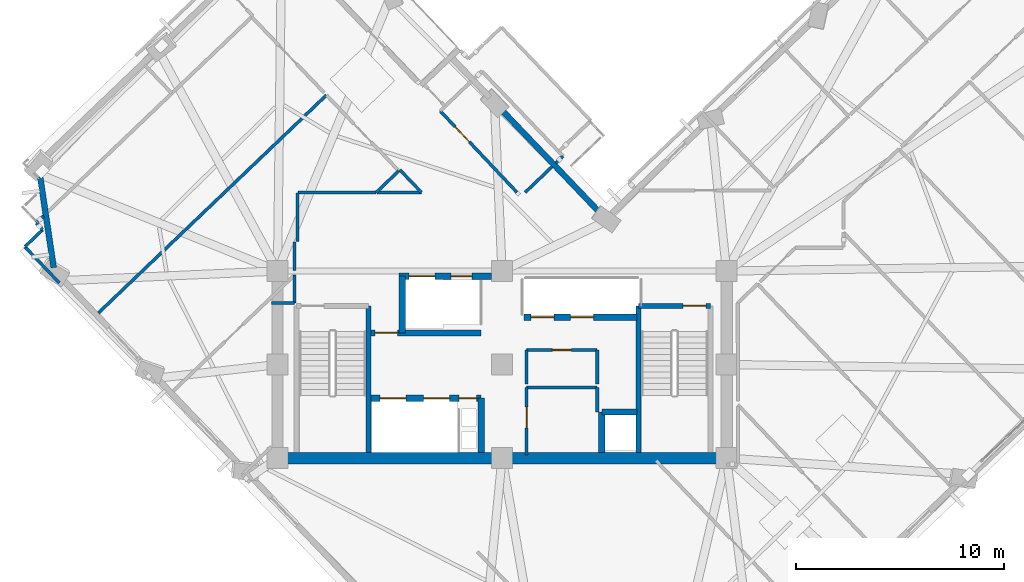
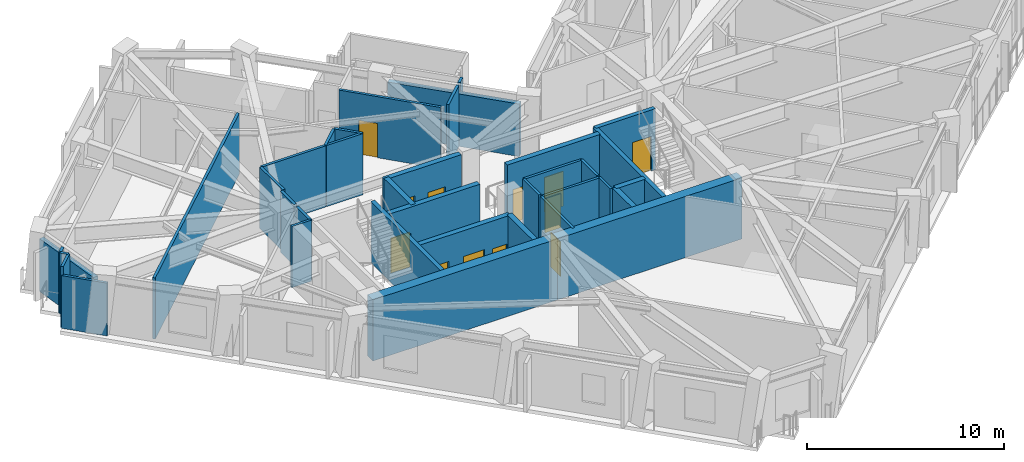
# One storey, part 9 of 17: 37 walls, 12 doors, 12 openings.
"""IFC4 building model written with IfcOpenShell, lengths in metres."""

from ifc_helpers import new_model, si_unit, direction, frame, frame_2d, origin, place, context, subcontext, project, spatial, rectangle, extrude, material, layer, layer_set, type_object, element, fill, save


model = new_model("IFC4")

# Units and contexts
model_context = context("Model", 3, precision=1e-05, world=origin(), true_north=direction((0.0, 1.0)))
body_context = subcontext(model_context, "Body", "Model", "MODEL_VIEW")
ifc_project = project(units=[si_unit("LENGTHUNIT", "METRE"), si_unit("AREAUNIT", "SQUARE_METRE"), si_unit("VOLUMEUNIT", "CUBIC_METRE"), si_unit("PLANEANGLEUNIT", "RADIAN"), si_unit("MASSUNIT", "GRAM", prefix="KILO")], contexts=[model_context])

# Site, building, storey
site_placement = place(None, origin())
site = spatial("IfcSite", under=ifc_project, at=site_placement, CompositionType="ELEMENT")
building_placement = place(site_placement, origin())
building = spatial("IfcBuilding", under=site, at=building_placement, Name="Gaonmaruhae Medical Tower", CompositionType="ELEMENT")
storey_placement = place(building_placement, frame((0.0, 0.0, 211.199951171875)))
storey = spatial("IfcBuildingStorey", under=building, at=storey_placement, Name="L50", CompositionType="ELEMENT", Elevation=211.199951171875)

# Walls
ifc_material_1 = material(Name="Concrete C50/60", Category="concrete")
ifc_layer_1 = layer(ifc_material_1, 0.550048828125)
ifc_layer_set_1 = layer_set([ifc_layer_1], Name="Concrete C50/60")
wall_type_1 = type_object("IfcWallType", Name="CW-550 Mid-High Core Shear Wall", PredefinedType="SHEAR", material=ifc_layer_set_1)
for number, where, z_axis, x_axis, name in (
    (1, (14.0, 7.800048828125, 0.0), (0.0, 0.0, 1.0), (1.0, 0.0, 0.0), "L50 Core Shear Wall CSW-S1"),
    (2, (24.800048828125, 7.800048828125, 0.0), (0.0, 0.0, 1.0), (1.0, 0.0, 0.0), "L50 Core Shear Wall CSW-S2"),
):
    element("IfcWall", number, at=place(storey_placement, frame(where, z_axis=z_axis, x_axis=x_axis)), inside=storey, type_object=wall_type_1, Name=name, PredefinedType="SHEAR", context=body_context, shape_type="SweptSolid", body=[
        extrude(rectangle(XDim=10.800048828125, YDim=0.550048828125, at=frame_2d((5.39990234375, 0.0))), origin(), (0.0, 0.0, 1.0), 3.780029296875),
    ])
ifc_material_2 = material(Name="Precast concrete C45/55", Category="concrete")
ifc_layer_2 = layer(ifc_material_2, 0.280029296875)
ifc_layer_set_2 = layer_set([ifc_layer_2], Name="Precast concrete C45/55")
wall_type_2 = type_object("IfcWallType", Name="EW-280 Upper Precast Masonry-Frame Facade Wall", PredefinedType="SOLIDWALL", material=ifc_layer_set_2)
wall_1_placement = place(storey_placement, frame((24.7529296875, 24.5771484375, 0.0), z_axis=(0.0, 0.0, 1.0), x_axis=(0.69090790135, -0.722942786015, 0.0)))
element("IfcWall", 3, at=wall_1_placement, inside=storey, type_object=wall_type_2, Name="L50 Precast Masonry-Frame Wall KN01-NE01", PredefinedType="SOLIDWALL", context=body_context, shape_type="SweptSolid", body=[
    extrude(rectangle(XDim=6.9580078125, YDim=0.280029296875, at=frame_2d((3.47900390625, 0.0))), origin(), (0.0, 0.0, 1.0), 3.2451171875),
])
wall_2_placement = place(storey_placement, frame((3.23291015625, 16.9609375, 0.0), z_axis=(0.0, 0.0, 1.0), x_axis=(-0.147544168779, 0.989055467736, 0.0)))
element("IfcWall", 4, at=wall_2_placement, inside=storey, type_object=wall_type_2, Name="L50 Precast Masonry-Frame Wall N03-W01", PredefinedType="SOLIDWALL", context=body_context, shape_type="SweptSolid", body=[
    extrude(rectangle(XDim=4.408203125, YDim=0.280029296875, at=frame_2d((2.2041015625, 0.0))), origin(), (0.0, 0.0, 1.0), 3.26513671875),
])

# Wall, opening, door
ifc_material_3 = material(Name="Gypsum board partition", Category="gypsum")
ifc_layer_3 = layer(ifc_material_3, 0.14990234375)
ifc_layer_set_3 = layer_set([ifc_layer_3], Name="Gypsum board partition")
wall_type_3 = type_object("IfcWallType", Name="PW-150 Rated Clinical Corridor Partition", PredefinedType="PARTITIONING", material=ifc_layer_set_3)
wall_3_placement = place(storey_placement, frame((25.97998046875, 7.9599609375, 0.0), z_axis=(0.0, 0.0, 1.0), x_axis=(0.0, 1.0, 0.0)))
wall_3 = element("IfcWall", 5, at=wall_3_placement, inside=storey, type_object=wall_type_3, Name="L50 Interior Partition L50-RCL1-1", PredefinedType="PARTITIONING", context=body_context, shape_type="SweptSolid", body=[
    extrude(rectangle(XDim=3.239990234375, YDim=0.14990234375, at=frame_2d((1.6201171875, 0.0))), origin(), (0.0, 0.0, 1.0), 3.780029296875),
])
opening_1_placement = place(wall_3_placement, frame((1.294921875, 0.0, 0.0)))
opening_1 = element("IfcOpeningElement", 6, at=opening_1_placement, cuts=wall_3, Name="Opening CD-01", PredefinedType="OPENING", context=body_context, shape_type="SweptSolid", body=[
    extrude(rectangle(XDim=1.0, YDim=2.1201171875, at=frame_2d((0.5, 1.06005859375))), frame((0.0, 0.0849609375, 0.0), z_axis=(0.0, -1.0, 0.0), x_axis=(1.0, 0.0, 0.0)), (0.0, 0.0, 1.0), 0.169921875),
])
ifc_material_4 = material(Name="Antimicrobial laminate timber fire door", Category="wood")
door_type_1 = type_object("IfcDoorType", Name="CD-01 Consultation & Physician Office Door 1000x2120", OperationType="NOTDEFINED", PredefinedType="DOOR", material=ifc_material_4)
door_1_placement = place(opening_1_placement, origin())
door_1 = element("IfcDoor", 7, at=door_1_placement, inside=storey, type_object=door_type_1, Name="L50 Clinical Telemetry and Medication Room Door", OperationType="SINGLE_SWING_RIGHT", OverallHeight=2.1201171875, OverallWidth=1.0, PredefinedType="DOOR", context=body_context, shape_type="SweptSolid", body=[
    extrude(rectangle(XDim=1.0, YDim=2.1201171875, at=frame_2d((0.5, 1.06005859375))), frame((0.0, 0.02490234375, 0.0), z_axis=(0.0, -1.0, 0.0), x_axis=(1.0, 0.0, 0.0)), (0.0, 0.0, 1.0), 0.050048828125),
])
fill(opening_1, door_1)

# Walls
wall_4_placement = place(storey_placement, frame((25.97998046875, 11.199951171875, 0.0), z_axis=(0.0, 0.0, 1.0), x_axis=(1.0, 0.0, 0.0)))
element("IfcWall", 8, at=wall_4_placement, inside=storey, type_object=wall_type_3, Name="L50 Interior Partition L50-RCL1-2", PredefinedType="PARTITIONING", context=body_context, shape_type="SweptSolid", body=[
    extrude(rectangle(XDim=3.39990234375, YDim=0.14990234375, at=frame_2d((1.699951171875, 0.0))), origin(), (0.0, 0.0, 1.0), 3.780029296875),
])
wall_5_placement = place(storey_placement, frame((29.3798828125, 11.199951171875, 0.0), z_axis=(0.0, 0.0, 1.0), x_axis=(0.0, -1.0, 0.0)))
element("IfcWall", 9, at=wall_5_placement, inside=storey, type_object=wall_type_3, Name="L50 Interior Partition L50-RCL1-3", PredefinedType="PARTITIONING", context=body_context, shape_type="SweptSolid", body=[
    extrude(rectangle(XDim=1.179931640625, YDim=0.14990234375, at=frame_2d((0.58984375, 0.0))), origin(), (0.0, 0.0, 1.0), 3.780029296875),
])
wall_6_placement = place(storey_placement, frame((25.97998046875, 11.360107421875, 0.0), z_axis=(0.0, 0.0, 1.0), x_axis=(0.0, 1.0, 0.0)))
element("IfcWall", 10, at=wall_6_placement, inside=storey, type_object=wall_type_3, Name="L50 Interior Partition L50-CS1-4", PredefinedType="PARTITIONING", context=body_context, shape_type="SweptSolid", body=[
    extrude(rectangle(XDim=1.639892578125, YDim=0.14990234375, at=frame_2d((0.81982421875, 0.0))), origin(), (0.0, 0.0, 1.0), 3.780029296875),
])

# Wall, opening, door
wall_7_placement = place(storey_placement, frame((25.97998046875, 13.0, 0.0), z_axis=(0.0, 0.0, 1.0), x_axis=(1.0, 0.0, 0.0)))
wall_7 = element("IfcWall", 11, at=wall_7_placement, inside=storey, type_object=wall_type_3, Name="L50 Interior Partition L50-CS1-5", PredefinedType="PARTITIONING", context=body_context, shape_type="SweptSolid", body=[
    extrude(rectangle(XDim=3.39990234375, YDim=0.14990234375, at=frame_2d((1.699951171875, 0.0))), origin(), (0.0, 0.0, 1.0), 3.780029296875),
])
opening_2_placement = place(wall_7_placement, frame((1.239990234375, 0.0, 0.0)))
opening_2 = element("IfcOpeningElement", 12, at=opening_2_placement, cuts=wall_7, Name="Opening UD-01", PredefinedType="OPENING", context=body_context, shape_type="SweptSolid", body=[
    extrude(rectangle(XDim=0.919921875, YDim=2.10009765625, at=frame_2d((0.4599609375, 1.050048828125))), frame((0.0, 0.0849609375, 0.0), z_axis=(0.0, -1.0, 0.0), x_axis=(1.0, 0.0, 0.0)), (0.0, 0.0, 1.0), 0.169921875),
])
ifc_material_5 = material(Name="Powder-coated steel utility door", Category="steel")
door_type_2 = type_object("IfcDoorType", Name="UD-01 Toilet, Utility & Housekeeping Door 920x2100", OperationType="NOTDEFINED", PredefinedType="DOOR", material=ifc_material_5)
door_2_placement = place(opening_2_placement, origin())
door_2 = element("IfcDoor", 13, at=door_2_placement, inside=storey, type_object=door_type_2, Name="L50 Accessible Staff Toilet Door", OperationType="SINGLE_SWING_LEFT", OverallHeight=2.10009765625, OverallWidth=0.919921875, PredefinedType="DOOR", context=body_context, shape_type="SweptSolid", body=[
    extrude(rectangle(XDim=0.919921875, YDim=2.10009765625, at=frame_2d((0.4599609375, 1.050048828125))), frame((0.0, 0.02490234375, 0.0), z_axis=(0.0, -1.0, 0.0), x_axis=(1.0, 0.0, 0.0)), (0.0, 0.0, 1.0), 0.050048828125),
])
fill(opening_2, door_2)

# Walls
wall_8_placement = place(storey_placement, frame((29.3798828125, 13.0, 0.0), z_axis=(0.0, 0.0, 1.0), x_axis=(0.0, -1.0, 0.0)))
element("IfcWall", 14, at=wall_8_placement, inside=storey, type_object=wall_type_3, Name="L50 Interior Partition L50-CS1-6", PredefinedType="PARTITIONING", context=body_context, shape_type="SweptSolid", body=[
    extrude(rectangle(XDim=1.639892578125, YDim=0.14990234375, at=frame_2d((0.81982421875, 0.0))), origin(), (0.0, 0.0, 1.0), 3.780029296875),
])
wall_9_placement = place(storey_placement, frame((14.820068359375, 16.60498046875, 0.0), z_axis=(0.0, 0.0, 1.0), x_axis=(0.0, -1.0, 0.0)))
element("IfcWall", 15, at=wall_9_placement, inside=storey, type_object=wall_type_3, Name="L50 Interior Partition L50-WCL12-44", PredefinedType="PARTITIONING", context=body_context, shape_type="SweptSolid", body=[
    extrude(rectangle(XDim=1.344970703125, YDim=0.14990234375, at=frame_2d((0.67236328125, 0.0))), origin(), (0.0, 0.0, 1.0), 3.780029296875),
])
wall_10_placement = place(storey_placement, frame((14.820068359375, 15.260009765625, 0.0), z_axis=(0.0, 0.0, 1.0), x_axis=(-1.0, 0.0, 0.0)))
element("IfcWall", 16, at=wall_10_placement, inside=storey, type_object=wall_type_3, Name="L50 Interior Partition L50-WCL12-45", PredefinedType="PARTITIONING", context=body_context, shape_type="SweptSolid", body=[
    extrude(rectangle(XDim=1.1201171875, YDim=0.14990234375, at=frame_2d((0.56005859375, 0.0))), origin(), (0.0, 0.0, 1.0), 3.780029296875),
])
wall_11_placement = place(storey_placement, frame((14.969970703125, 20.550048828125, 0.0), z_axis=(0.0, 0.0, 1.0), x_axis=(0.0, -1.0, 0.0)))
element("IfcWall", 17, at=wall_11_placement, inside=storey, type_object=wall_type_3, Name="L50 Interior Partition L50-WOF13-46", PredefinedType="PARTITIONING", context=body_context, shape_type="SweptSolid", body=[
    extrude(rectangle(XDim=2.320068359375, YDim=0.14990234375, at=frame_2d((1.16015625, 0.0))), origin(), (0.0, 0.0, 1.0), 3.780029296875),
])
wall_12_placement = place(storey_placement, frame((14.820068359375, 18.202880859375, 0.0), z_axis=(0.0, 0.0, 1.0), x_axis=(0.0, -1.0, 0.0)))
element("IfcWall", 18, at=wall_12_placement, inside=storey, type_object=wall_type_3, Name="L50 Interior Partition L50-WOF13-47", PredefinedType="PARTITIONING", context=body_context, shape_type="SweptSolid", body=[
    extrude(rectangle(XDim=1.376953125, YDim=0.14990234375, at=frame_2d((0.6884765625, 0.0))), origin(), (0.0, 0.0, 1.0), 3.780029296875),
])
wall_13_placement = place(storey_placement, frame((5.3740234375, 14.77099609375, 0.0), z_axis=(0.0, 0.0, 1.0), x_axis=(0.722993367921, 0.690854970267, 0.0)))
element("IfcWall", 19, at=wall_13_placement, inside=storey, type_object=wall_type_3, Name="L50 Interior Partition L50-WOF13-49", PredefinedType="PARTITIONING", context=body_context, shape_type="SweptSolid", body=[
    extrude(rectangle(XDim=15.185546875, YDim=0.14990234375, at=frame_2d((7.5927734375, 0.0))), origin(), (0.0, 0.0, 1.0), 3.780029296875),
])
wall_14_placement = place(storey_placement, frame((19.8349609375, 21.617919921875, 0.0), z_axis=(0.0, 0.0, 1.0), x_axis=(-0.723244890559, -0.690591650891, 0.0)))
element("IfcWall", 20, at=wall_14_placement, inside=storey, type_object=wall_type_3, Name="L50 Interior Partition L50-WOF13-51", PredefinedType="PARTITIONING", context=body_context, shape_type="SweptSolid", body=[
    extrude(rectangle(XDim=1.5029296875, YDim=0.14990234375, at=frame_2d((0.75146484375, 0.0))), origin(), (0.0, 0.0, 1.0), 3.780029296875),
])
wall_15_placement = place(storey_placement, frame((18.748046875, 20.580078125, 0.0), z_axis=(0.0, 0.0, 1.0), x_axis=(-1.0, 0.0, 0.0)))
element("IfcWall", 21, at=wall_15_placement, inside=storey, type_object=wall_type_3, Name="L50 Interior Partition L50-WOF13-52", PredefinedType="PARTITIONING", context=body_context, shape_type="SweptSolid", body=[
    extrude(rectangle(XDim=3.7509765625, YDim=0.14990234375, at=frame_2d((1.87548828125, 0.0))), origin(), (0.0, 0.0, 1.0), 3.780029296875),
])
wall_16_placement = place(storey_placement, frame((2.385009765625, 19.10693359375, 0.0), z_axis=(0.0, 0.0, 1.0), x_axis=(0.723099511244, 0.690743872097, 0.0)))
element("IfcWall", 22, at=wall_16_placement, inside=storey, type_object=wall_type_3, Name="L50 Interior Partition L50-WOF14-53", PredefinedType="PARTITIONING", context=body_context, shape_type="SweptSolid", body=[
    extrude(rectangle(XDim=0.498046875, YDim=0.14990234375, at=frame_2d((0.2490234375, 0.0))), origin(), (0.0, 0.0, 1.0), 3.780029296875),
])
wall_17_placement = place(storey_placement, frame((3.5048828125, 16.22705078125, 0.0), z_axis=(0.0, 0.0, 1.0), x_axis=(-0.690685671957, 0.723155102694, 0.0)))
element("IfcWall", 23, at=wall_17_placement, inside=storey, type_object=wall_type_3, Name="L50 Interior Partition L50-WOF14-56", PredefinedType="PARTITIONING", context=body_context, shape_type="SweptSolid", body=[
    extrude(rectangle(XDim=2.406005859375, YDim=0.14990234375, at=frame_2d((1.203125, 0.0))), origin(), (0.0, 0.0, 1.0), 3.26513671875),
])
wall_18_placement = place(storey_placement, frame((1.843017578125, 17.967041015625, 0.0), z_axis=(0.0, 0.0, 1.0), x_axis=(0.723064191365, 0.690780844527, 0.0)))
element("IfcWall", 24, at=wall_18_placement, inside=storey, type_object=wall_type_3, Name="L50 Interior Partition L50-WOF14-57", PredefinedType="PARTITIONING", context=body_context, shape_type="SweptSolid", body=[
    extrude(rectangle(XDim=1.1796875, YDim=0.14990234375, at=frame_2d((0.58984375, 0.0))), origin(), (0.0, 0.0, 1.0), 3.780029296875),
])
wall_19_placement = place(storey_placement, frame((2.696044921875, 18.781982421875, 0.0), z_axis=(0.0, 0.0, 1.0), x_axis=(-0.691469068757, 0.722406067909, 0.0)))
element("IfcWall", 25, at=wall_19_placement, inside=storey, type_object=wall_type_3, Name="L50 Interior Partition L50-WOF14-58", PredefinedType="PARTITIONING", context=body_context, shape_type="SweptSolid", body=[
    extrude(rectangle(XDim=0.44970703125, YDim=0.14990234375, at=frame_2d((0.224853515625, 0.0))), origin(), (0.0, 0.0, 1.0), 3.780029296875),
])
wall_20_placement = place(storey_placement, frame((27.737060546875, 22.322998046875, 0.0), z_axis=(0.0, 0.0, 1.0), x_axis=(-0.7235154417, -0.690308196114, 0.0)))
element("IfcWall", 26, at=wall_20_placement, inside=storey, type_object=wall_type_3, Name="L50 Interior Partition L50-IN01-80", PredefinedType="PARTITIONING", context=body_context, shape_type="SweptSolid", body=[
    extrude(rectangle(XDim=0.4853515625, YDim=0.14990234375, at=frame_2d((0.24267578125, 0.0))), origin(), (0.0, 0.0, 1.0), 3.780029296875),
])
wall_21_placement = place(storey_placement, frame((27.219970703125, 21.8291015625, 0.0), z_axis=(0.0, 0.0, 1.0), x_axis=(-0.722929228479, -0.690922087222, 0.0)))
element("IfcWall", 27, at=wall_21_placement, inside=storey, type_object=wall_type_3, Name="L50 Interior Partition L50-IN01-81", PredefinedType="PARTITIONING", context=body_context, shape_type="SweptSolid", body=[
    extrude(rectangle(XDim=1.807861328125, YDim=0.14990234375, at=frame_2d((0.90380859375, 0.0))), origin(), (0.0, 0.0, 1.0), 3.780029296875),
])

# Wall, opening, door
wall_22_placement = place(storey_placement, frame((25.52001953125, 20.580078125, 0.0), z_axis=(0.0, 0.0, 1.0), x_axis=(-0.685917530826, 0.727679284373, 0.0)))
wall_22 = element("IfcWall", 28, at=wall_22_placement, inside=storey, type_object=wall_type_3, Name="L50 Interior Partition L50-IN01-82", PredefinedType="PARTITIONING", context=body_context, shape_type="SweptSolid", body=[
    extrude(rectangle(XDim=5.38427734375, YDim=0.14990234375, at=frame_2d((2.692138671875, 0.0))), origin(), (0.0, 0.0, 1.0), 3.780029296875),
])
opening_3_placement = place(wall_22_placement, frame((3.33935546875, 0.0, 0.0)))
opening_3 = element("IfcOpeningElement", 29, at=opening_3_placement, cuts=wall_22, Name="Opening CD-01", PredefinedType="OPENING", context=body_context, shape_type="SweptSolid", body=[
    extrude(rectangle(XDim=1.0, YDim=2.1201171875, at=frame_2d((0.5, 1.06005859375))), frame((0.0, 0.0849609375, 0.0), z_axis=(0.0, -1.0, 0.0), x_axis=(1.0, 0.0, 0.0)), (0.0, 0.0, 1.0), 0.169921875),
])
door_3_placement = place(opening_3_placement, origin())
door_3 = element("IfcDoor", 30, at=door_3_placement, inside=storey, type_object=door_type_1, Name="L50 Physician Consultation Office Door", OperationType="SINGLE_SWING_RIGHT", OverallHeight=2.1201171875, OverallWidth=1.0, PredefinedType="DOOR", context=body_context, shape_type="SweptSolid", body=[
    extrude(rectangle(XDim=1.0, YDim=2.1201171875, at=frame_2d((0.5, 1.06005859375))), frame((0.0, 0.02490234375, 0.0), z_axis=(0.0, -1.0, 0.0), x_axis=(1.0, 0.0, 0.0)), (0.0, 0.0, 1.0), 0.050048828125),
])
fill(opening_3, door_3)

# Walls
wall_23_placement = place(storey_placement, frame((19.885986328125, 21.666015625, 0.0), z_axis=(0.0, 0.0, 1.0), x_axis=(0.691001224956, -0.722853586219, 0.0)))
element("IfcWall", 31, at=wall_23_placement, inside=storey, type_object=wall_type_3, Name="L50 Interior Partition L50-RM02-91", PredefinedType="PARTITIONING", context=body_context, shape_type="SweptSolid", body=[
    extrude(rectangle(XDim=1.502197265625, YDim=0.14990234375, at=frame_2d((0.7509765625, 0.0))), origin(), (0.0, 0.0, 1.0), 3.780029296875),
])
wall_24_placement = place(storey_placement, frame((20.924072265625, 20.580078125, 0.0), z_axis=(0.0, 0.0, 1.0), x_axis=(-1.0, 0.0, 0.0)))
element("IfcWall", 32, at=wall_24_placement, inside=storey, type_object=wall_type_3, Name="L50 Interior Partition L50-RM02-92", PredefinedType="PARTITIONING", context=body_context, shape_type="SweptSolid", body=[
    extrude(rectangle(XDim=2.14697265625, YDim=0.14990234375, at=frame_2d((1.073486328125, 0.0))), origin(), (0.0, 0.0, 1.0), 3.780029296875),
])
ifc_layer_4 = layer(ifc_material_1, 0.239990234375)
ifc_layer_set_4 = layer_set([ifc_layer_4], Name="Concrete C50/60")
wall_type_4 = type_object("IfcWallType", Name="SW-240 Dogleg Stair Tight Shaft Wall", PredefinedType="SOLIDWALL", material=ifc_layer_set_4)
wall_25_placement = place(storey_placement, frame((18.3798828125, 15.1201171875, 0.0), z_axis=(0.0, 0.0, 1.0), x_axis=(0.0, -1.0, 0.0)))
element("IfcWall", 33, at=wall_25_placement, inside=storey, type_object=wall_type_4, Name="L50 ST-01 Stair Shaft Wall SHW-ST-01-E", PredefinedType="SOLIDWALL", context=body_context, shape_type="SweptSolid", body=[
    extrude(rectangle(XDim=7.045166015625, YDim=0.239990234375, at=frame_2d((3.5224609375, 0.0))), origin(), (0.0, 0.0, 1.0), 3.780029296875),
])

# Wall, opening, door
wall_26_placement = place(storey_placement, frame((31.3701171875, 15.1201171875, 0.0), z_axis=(0.0, 0.0, 1.0), x_axis=(1.0, 0.0, 0.0)))
wall_26 = element("IfcWall", 34, at=wall_26_placement, inside=storey, type_object=wall_type_4, Name="L50 ST-02 Stair Shaft Wall SHW-ST-02-N", PredefinedType="SOLIDWALL", context=body_context, shape_type="SweptSolid", body=[
    extrude(rectangle(XDim=3.4599609375, YDim=0.239990234375, at=frame_2d((1.72998046875, 0.0))), origin(), (0.0, 0.0, 1.0), 3.780029296875),
])
opening_4_placement = place(wall_26_placement, frame((2.139892578125, 0.0, 0.0)))
opening_4 = element("IfcOpeningElement", 35, at=opening_4_placement, cuts=wall_26, Name="Opening FD-01", PredefinedType="OPENING", context=body_context, shape_type="SweptSolid", body=[
    extrude(rectangle(XDim=1.10009765625, YDim=2.14990234375, at=frame_2d((0.550048828125, 1.074951171875))), frame((0.0, 0.1298828125, 0.0), z_axis=(0.0, -1.0, 0.0), x_axis=(1.0, 0.0, 0.0)), (0.0, 0.0, 1.0), 0.260009765625),
])
ifc_material_6 = material(Name="Powder-coated steel fire door", Category="steel")
door_type_3 = type_object("IfcDoorType", Name="FD-01 Escape Stair Protected Fire Door 1100x2150", OperationType="NOTDEFINED", PredefinedType="DOOR", material=ifc_material_6)
door_4_placement = place(opening_4_placement, origin())
door_4 = element("IfcDoor", 36, at=door_4_placement, inside=storey, type_object=door_type_3, Name="L50 ST-02 Protected Escape Stair Door", OperationType="SINGLE_SWING_LEFT", OverallHeight=2.14990234375, OverallWidth=1.10009765625, PredefinedType="DOOR", context=body_context, shape_type="SweptSolid", body=[
    extrude(rectangle(XDim=1.10009765625, YDim=2.14990234375, at=frame_2d((0.550048828125, 1.074951171875))), frame((0.0, 0.02490234375, 0.0), z_axis=(0.0, -1.0, 0.0), x_axis=(1.0, 0.0, 0.0)), (0.0, 0.0, 1.0), 0.050048828125),
])
fill(opening_4, door_4)

# Wall
wall_27_placement = place(storey_placement, frame((31.3701171875, 8.074951171875, 0.0), z_axis=(0.0, 0.0, 1.0), x_axis=(0.0, 1.0, 0.0)))
element("IfcWall", 37, at=wall_27_placement, inside=storey, type_object=wall_type_4, Name="L50 ST-02 Stair Shaft Wall SHW-ST-02-W", PredefinedType="SOLIDWALL", context=body_context, shape_type="SweptSolid", body=[
    extrude(rectangle(XDim=7.045166015625, YDim=0.239990234375, at=frame_2d((3.5224609375, 0.0))), origin(), (0.0, 0.0, 1.0), 3.780029296875),
])

# Wall, openings, doors
ifc_layer_5 = layer(ifc_material_1, 0.300048828125)
ifc_layer_set_5 = layer_set([ifc_layer_5], Name="Concrete C50/60")
wall_type_5 = type_object("IfcWallType", Name="SW-300 Stair & Lift Hoistway Shaft Wall", PredefinedType="SOLIDWALL", material=ifc_layer_set_5)
wall_28_placement = place(storey_placement, frame((19.85009765625, 16.550048828125, 0.0), z_axis=(0.0, 0.0, 1.0), x_axis=(1.0, 0.0, 0.0)))
wall_28 = element("IfcWall", 38, at=wall_28_placement, inside=storey, type_object=wall_type_5, Name="L50 Core Shear Wall CSW-NB", PredefinedType="SOLIDWALL", context=body_context, shape_type="SweptSolid", body=[
    extrude(rectangle(XDim=4.449951171875, YDim=0.300048828125, at=frame_2d((2.22509765625, 0.0))), origin(), (0.0, 0.0, 1.0), 3.780029296875),
])
opening_5_placement = place(wall_28_placement, frame((0.47509765625, 0.0, 0.0)))
opening_5 = element("IfcOpeningElement", 39, at=opening_5_placement, cuts=wall_28, Name="Opening LD-F1", PredefinedType="OPENING", context=body_context, shape_type="SweptSolid", body=[
    extrude(rectangle(XDim=1.25, YDim=2.179931640625, at=frame_2d((0.625, 1.08984375))), frame((0.0, 0.16015625, 0.0), z_axis=(0.0, -1.0, 0.0), x_axis=(1.0, 0.0, 0.0)), (0.0, 0.0, 1.0), 0.320068359375),
])
opening_6_placement = place(wall_28_placement, frame((2.489990234375, 0.0, 0.0)))
opening_6 = element("IfcOpeningElement", 40, at=opening_6_placement, cuts=wall_28, Name="Opening LD-S1", PredefinedType="OPENING", context=body_context, shape_type="SweptSolid", body=[
    extrude(rectangle(XDim=1.02001953125, YDim=2.1201171875, at=frame_2d((0.510009765625, 1.06005859375))), frame((0.0, 0.16015625, 0.0), z_axis=(0.0, -1.0, 0.0), x_axis=(1.0, 0.0, 0.0)), (0.0, 0.0, 1.0), 0.320068359375),
])
ifc_material_7 = material(Name="Brushed stainless steel 316L landing door", Category="steel")
door_type_4 = type_object("IfcDoorType", Name="LD-F1 Firefighting & Bed Lift Sliding Landing Door 1250x2180", OperationType="NOTDEFINED", PredefinedType="DOOR", material=ifc_material_7)
door_5_placement = place(opening_5_placement, origin())
door_5 = element("IfcDoor", 41, at=door_5_placement, inside=storey, type_object=door_type_4, Name="L50 Service/Bed Lift Landing Door BDL-01", OperationType="DOUBLE_DOOR_SLIDING", OverallHeight=2.179931640625, OverallWidth=1.25, PredefinedType="DOOR", context=body_context, shape_type="SweptSolid", body=[
    extrude(rectangle(XDim=1.25, YDim=2.179931640625, at=frame_2d((0.625, 1.08984375))), frame((0.0, 0.02490234375, 0.0), z_axis=(0.0, -1.0, 0.0), x_axis=(1.0, 0.0, 0.0)), (0.0, 0.0, 1.0), 0.050048828125),
])
fill(opening_5, door_5)
ifc_material_8 = material(Name="Brushed stainless steel 304 landing door", Category="steel")
door_type_5 = type_object("IfcDoorType", Name="LD-S1 Service Lift Sliding Landing Door 1020x2120", OperationType="NOTDEFINED", PredefinedType="DOOR", material=ifc_material_8)
door_6_placement = place(opening_6_placement, origin())
door_6 = element("IfcDoor", 42, at=door_6_placement, inside=storey, type_object=door_type_5, Name="L50 Service/Bed Lift Landing Door SVL-01", OperationType="SLIDING_TO_LEFT", OverallHeight=2.1201171875, OverallWidth=1.02001953125, PredefinedType="DOOR", context=body_context, shape_type="SweptSolid", body=[
    extrude(rectangle(XDim=1.02001953125, YDim=2.1201171875, at=frame_2d((0.510009765625, 1.06005859375))), frame((0.0, 0.02490234375, 0.0), z_axis=(0.0, -1.0, 0.0), x_axis=(1.0, 0.0, 0.0)), (0.0, 0.0, 1.0), 0.050048828125),
])
fill(opening_6, door_6)

wall_29_placement = place(storey_placement, frame((18.5, 10.679931640625, 0.0), z_axis=(0.0, 0.0, 1.0), x_axis=(1.0, 0.0, 0.0)))
wall_29 = element("IfcWall", 43, at=wall_29_placement, inside=storey, type_object=wall_type_5, Name="L50 Shaft Enclosure Wall SHW-FFN", PredefinedType="SOLIDWALL", context=body_context, shape_type="SweptSolid", body=[
    extrude(rectangle(XDim=5.300048828125, YDim=0.300048828125, at=frame_2d((2.64990234375, 0.0))), origin(), (0.0, 0.0, 1.0), 3.780029296875),
])
opening_7_placement = place(wall_29_placement, frame((4.219970703125, 0.0, 0.0)))
opening_7 = element("IfcOpeningElement", 44, at=opening_7_placement, cuts=wall_29, Name="Opening AD-01", PredefinedType="OPENING", context=body_context, shape_type="SweptSolid", body=[
    extrude(rectangle(XDim=0.860107421875, YDim=2.06005859375, at=frame_2d((0.43017578125, 1.030029296875))), frame((0.0, 0.16015625, 0.0), z_axis=(0.0, -1.0, 0.0), x_axis=(1.0, 0.0, 0.0)), (0.0, 0.0, 1.0), 0.320068359375),
])
opening_8_placement = place(wall_29_placement, frame((0.425048828125, 0.0, 0.0)))
opening_8 = element("IfcOpeningElement", 45, at=opening_8_placement, cuts=wall_29, Name="Opening LD-F1", PredefinedType="OPENING", context=body_context, shape_type="SweptSolid", body=[
    extrude(rectangle(XDim=1.25, YDim=2.179931640625, at=frame_2d((0.625, 1.08984375))), frame((0.0, 0.16015625, 0.0), z_axis=(0.0, -1.0, 0.0), x_axis=(1.0, 0.0, 0.0)), (0.0, 0.0, 1.0), 0.320068359375),
])
opening_9_placement = place(wall_29_placement, frame((2.52490234375, 0.0, 0.0)))
opening_9 = element("IfcOpeningElement", 46, at=opening_9_placement, cuts=wall_29, Name="Opening LD-F1", PredefinedType="OPENING", context=body_context, shape_type="SweptSolid", body=[
    extrude(rectangle(XDim=1.25, YDim=2.179931640625, at=frame_2d((0.625, 1.08984375))), frame((0.0, 0.16015625, 0.0), z_axis=(0.0, -1.0, 0.0), x_axis=(1.0, 0.0, 0.0)), (0.0, 0.0, 1.0), 0.320068359375),
])
ifc_material_9 = material(Name="Powder-coated steel access door", Category="steel")
door_type_6 = type_object("IfcDoorType", Name="AD-01 Riser & Closet Access Fire Door 860x2060", OperationType="NOTDEFINED", PredefinedType="DOOR", material=ifc_material_9)
door_7_placement = place(opening_7_placement, origin())
door_7 = element("IfcDoor", 47, at=door_7_placement, inside=storey, type_object=door_type_6, Name="L50 Medical Gas and MEP Riser Access Door", OperationType="SINGLE_SWING_RIGHT", OverallHeight=2.06005859375, OverallWidth=0.860107421875, PredefinedType="DOOR", context=body_context, shape_type="SweptSolid", body=[
    extrude(rectangle(XDim=0.860107421875, YDim=2.06005859375, at=frame_2d((0.43017578125, 1.030029296875))), frame((0.0, 0.02490234375, 0.0), z_axis=(0.0, -1.0, 0.0), x_axis=(1.0, 0.0, 0.0)), (0.0, 0.0, 1.0), 0.050048828125),
])
fill(opening_7, door_7)
door_8_placement = place(opening_8_placement, origin())
door_8 = element("IfcDoor", 48, at=door_8_placement, inside=storey, type_object=door_type_4, Name="L50 Firefighting Lift Landing Door FFL-01", OperationType="DOUBLE_DOOR_SLIDING", OverallHeight=2.179931640625, OverallWidth=1.25, PredefinedType="DOOR", context=body_context, shape_type="SweptSolid", body=[
    extrude(rectangle(XDim=1.25, YDim=2.179931640625, at=frame_2d((0.625, 1.08984375))), frame((0.0, 0.02490234375, 0.0), z_axis=(0.0, -1.0, 0.0), x_axis=(1.0, 0.0, 0.0)), (0.0, 0.0, 1.0), 0.050048828125),
])
fill(opening_8, door_8)
door_9_placement = place(opening_9_placement, origin())
door_9 = element("IfcDoor", 49, at=door_9_placement, inside=storey, type_object=door_type_4, Name="L50 Firefighting Lift Landing Door FFL-02", OperationType="DOUBLE_DOOR_SLIDING", OverallHeight=2.179931640625, OverallWidth=1.25, PredefinedType="DOOR", context=body_context, shape_type="SweptSolid", body=[
    extrude(rectangle(XDim=1.25, YDim=2.179931640625, at=frame_2d((0.625, 1.08984375))), frame((0.0, 0.02490234375, 0.0), z_axis=(0.0, -1.0, 0.0), x_axis=(1.0, 0.0, 0.0)), (0.0, 0.0, 1.0), 0.050048828125),
])
fill(opening_9, door_9)

# Wall, opening, door
wall_30_placement = place(storey_placement, frame((18.5, 13.820068359375, 0.0), z_axis=(0.0, 0.0, 1.0), x_axis=(1.0, 0.0, 0.0)))
wall_30 = element("IfcWall", 50, at=wall_30_placement, inside=storey, type_object=wall_type_5, Name="L50 Shaft Enclosure Wall SHW-FFL", PredefinedType="SOLIDWALL", context=body_context, shape_type="SweptSolid", body=[
    extrude(rectangle(XDim=5.300048828125, YDim=0.300048828125, at=frame_2d((2.64990234375, 0.0))), origin(), (0.0, 0.0, 1.0), 3.780029296875),
])
opening_10_placement = place(wall_30_placement, frame((0.179931640625, 0.0, 0.0)))
opening_10 = element("IfcOpeningElement", 51, at=opening_10_placement, cuts=wall_30, Name="Opening FD-01", PredefinedType="OPENING", context=body_context, shape_type="SweptSolid", body=[
    extrude(rectangle(XDim=1.10009765625, YDim=2.14990234375, at=frame_2d((0.550048828125, 1.074951171875))), frame((0.0, 0.16015625, 0.0), z_axis=(0.0, -1.0, 0.0), x_axis=(1.0, 0.0, 0.0)), (0.0, 0.0, 1.0), 0.320068359375),
])
door_10_placement = place(opening_10_placement, origin())
door_10 = element("IfcDoor", 52, at=door_10_placement, inside=storey, type_object=door_type_3, Name="L50 Firefighting Lobby Smoke Door", OperationType="SINGLE_SWING_LEFT", OverallHeight=2.14990234375, OverallWidth=1.10009765625, PredefinedType="DOOR", context=body_context, shape_type="SweptSolid", body=[
    extrude(rectangle(XDim=1.10009765625, YDim=2.14990234375, at=frame_2d((0.550048828125, 1.074951171875))), frame((0.0, 0.02490234375, 0.0), z_axis=(0.0, -1.0, 0.0), x_axis=(1.0, 0.0, 0.0)), (0.0, 0.0, 1.0), 0.050048828125),
])
fill(opening_10, door_10)

# Walls
wall_31_placement = place(storey_placement, frame((23.800048828125, 8.074951171875, 0.0), z_axis=(0.0, 0.0, 1.0), x_axis=(0.0, 1.0, 0.0)))
element("IfcWall", 53, at=wall_31_placement, inside=storey, type_object=wall_type_5, Name="L50 Shaft Enclosure Wall SHW-FFE", PredefinedType="SOLIDWALL", context=body_context, shape_type="SweptSolid", body=[
    extrude(rectangle(XDim=2.60498046875, YDim=0.300048828125, at=frame_2d((1.302490234375, 0.0))), origin(), (0.0, 0.0, 1.0), 3.780029296875),
])
wall_32_placement = place(storey_placement, frame((20.0, 13.820068359375, 0.0), z_axis=(0.0, 0.0, 1.0), x_axis=(0.0, 1.0, 0.0)))
element("IfcWall", 54, at=wall_32_placement, inside=storey, type_object=wall_type_5, Name="L50 Shaft Enclosure Wall SHW-BDW", PredefinedType="SOLIDWALL", context=body_context, shape_type="SweptSolid", body=[
    extrude(rectangle(XDim=2.72998046875, YDim=0.300048828125, at=frame_2d((1.364990234375, 0.0))), origin(), (0.0, 0.0, 1.0), 3.780029296875),
])
wall_33_placement = place(storey_placement, frame((29.60009765625, 10.02001953125, 0.0), z_axis=(0.0, 0.0, 1.0), x_axis=(1.0, 0.0, 0.0)))
element("IfcWall", 55, at=wall_33_placement, inside=storey, type_object=wall_type_5, Name="L50 Shaft Enclosure Wall SHW-PLS", PredefinedType="SOLIDWALL", context=body_context, shape_type="SweptSolid", body=[
    extrude(rectangle(XDim=1.699951171875, YDim=0.300048828125, at=frame_2d((0.85009765625, 0.0))), origin(), (0.0, 0.0, 1.0), 3.780029296875),
])
wall_34_placement = place(storey_placement, frame((29.60009765625, 8.074951171875, 0.0), z_axis=(0.0, 0.0, 1.0), x_axis=(0.0, 1.0, 0.0)))
element("IfcWall", 56, at=wall_34_placement, inside=storey, type_object=wall_type_5, Name="L50 Shaft Enclosure Wall SHW-PLD1", PredefinedType="SOLIDWALL", context=body_context, shape_type="SweptSolid", body=[
    extrude(rectangle(XDim=1.945068359375, YDim=0.300048828125, at=frame_2d((0.97265625, 0.0))), origin(), (0.0, 0.0, 1.0), 3.780029296875),
])

# Wall, openings, doors
wall_35_placement = place(storey_placement, frame((25.85009765625, 14.580078125, 0.0), z_axis=(0.0, 0.0, 1.0), x_axis=(1.0, 0.0, 0.0)))
wall_35 = element("IfcWall", 57, at=wall_35_placement, inside=storey, type_object=wall_type_5, Name="L50 Shaft Enclosure Wall SHW-PLN", PredefinedType="SOLIDWALL", context=body_context, shape_type="SweptSolid", body=[
    extrude(rectangle(XDim=5.449951171875, YDim=0.300048828125, at=frame_2d((2.72509765625, 0.0))), origin(), (0.0, 0.0, 1.0), 3.780029296875),
])
opening_11_placement = place(wall_35_placement, frame((0.340087890625, 0.0, 0.0)))
opening_11 = element("IfcOpeningElement", 58, at=opening_11_placement, cuts=wall_35, Name="Opening LD-P1", PredefinedType="OPENING", context=body_context, shape_type="SweptSolid", body=[
    extrude(rectangle(XDim=1.1201171875, YDim=2.14990234375, at=frame_2d((0.56005859375, 1.074951171875))), frame((0.0, 0.16015625, 0.0), z_axis=(0.0, -1.0, 0.0), x_axis=(1.0, 0.0, 0.0)), (0.0, 0.0, 1.0), 0.320068359375),
])
opening_12_placement = place(wall_35_placement, frame((2.239990234375, 0.0, 0.0)))
opening_12 = element("IfcOpeningElement", 59, at=opening_12_placement, cuts=wall_35, Name="Opening LD-P1", PredefinedType="OPENING", context=body_context, shape_type="SweptSolid", body=[
    extrude(rectangle(XDim=1.1201171875, YDim=2.14990234375, at=frame_2d((0.56005859375, 1.074951171875))), frame((0.0, 0.16015625, 0.0), z_axis=(0.0, -1.0, 0.0), x_axis=(1.0, 0.0, 0.0)), (0.0, 0.0, 1.0), 0.320068359375),
])
door_type_7 = type_object("IfcDoorType", Name="LD-P1 Passenger Lift Sliding Landing Door 1120x2150", OperationType="NOTDEFINED", PredefinedType="DOOR", material=ifc_material_8)
door_11_placement = place(opening_11_placement, origin())
door_11 = element("IfcDoor", 60, at=door_11_placement, inside=storey, type_object=door_type_7, Name="L50 Passenger Lift Landing Door PL-M1", OperationType="DOUBLE_DOOR_SLIDING", OverallHeight=2.14990234375, OverallWidth=1.1201171875, PredefinedType="DOOR", context=body_context, shape_type="SweptSolid", body=[
    extrude(rectangle(XDim=1.1201171875, YDim=2.14990234375, at=frame_2d((0.56005859375, 1.074951171875))), frame((0.0, 0.02490234375, 0.0), z_axis=(0.0, -1.0, 0.0), x_axis=(1.0, 0.0, 0.0)), (0.0, 0.0, 1.0), 0.050048828125),
])
fill(opening_11, door_11)
door_12_placement = place(opening_12_placement, origin())
door_12 = element("IfcDoor", 61, at=door_12_placement, inside=storey, type_object=door_type_7, Name="L50 Passenger Lift Landing Door PL-M2", OperationType="DOUBLE_DOOR_SLIDING", OverallHeight=2.14990234375, OverallWidth=1.1201171875, PredefinedType="DOOR", context=body_context, shape_type="SweptSolid", body=[
    extrude(rectangle(XDim=1.1201171875, YDim=2.14990234375, at=frame_2d((0.56005859375, 1.074951171875))), frame((0.0, 0.02490234375, 0.0), z_axis=(0.0, -1.0, 0.0), x_axis=(1.0, 0.0, 0.0)), (0.0, 0.0, 1.0), 0.050048828125),
])
fill(opening_12, door_12)

save(model, "model.ifc")
